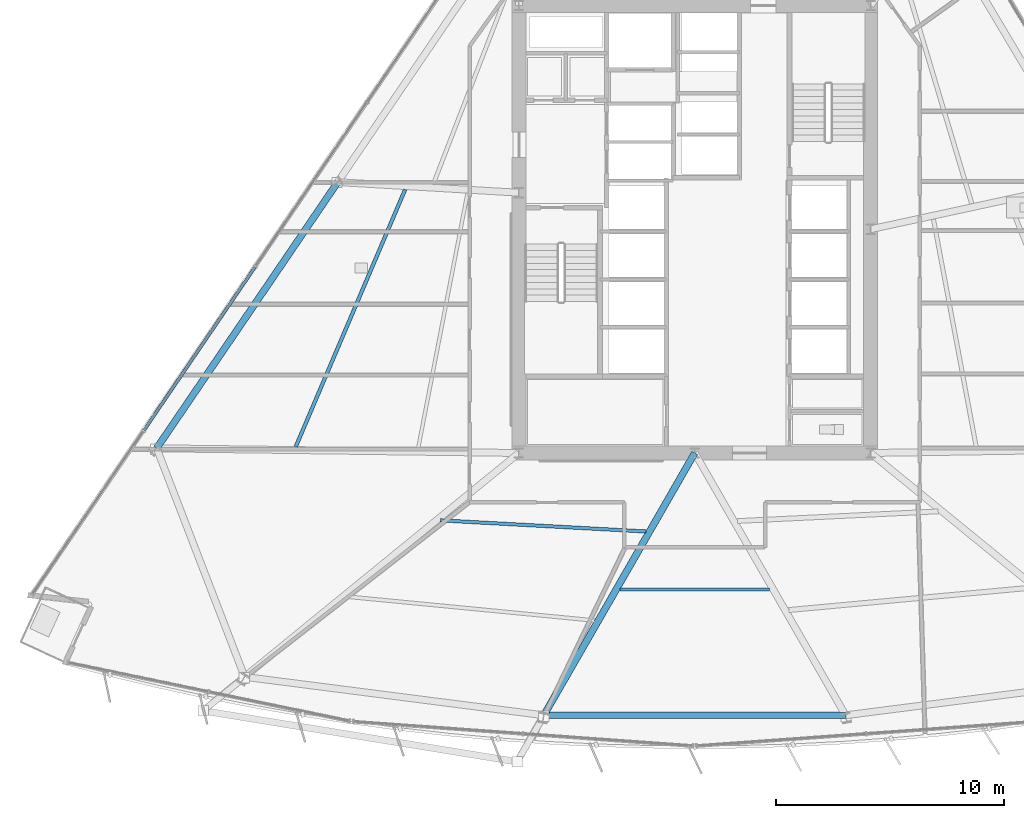
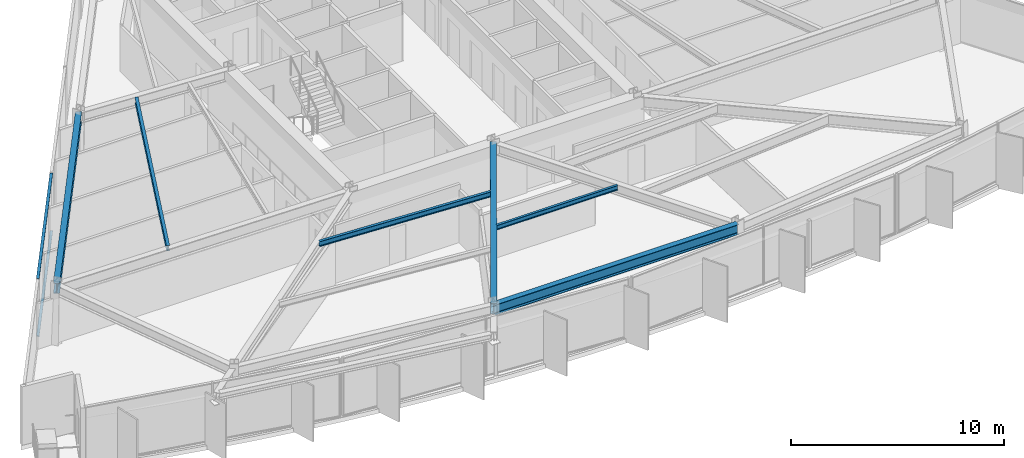
# One storey, part 3 of 17: 6 beams, 2 members, 1 element without a shape of its own.
"""IFC4 building model written with IfcOpenShell, lengths in metres."""

from ifc_helpers import new_model, si_unit, direction, frame, origin, origin_2d, place, context, subcontext, project, spatial, rectangle, i_section, extrude, material, material_profile, profile_set, type_object, element, aggregate, save


model = new_model("IFC4")

# Units and contexts
model_context = context("Model", 3, precision=1e-05, world=origin(), true_north=direction((0.0, 1.0)))
body_context = subcontext(model_context, "Body", "Model", "MODEL_VIEW")
ifc_project = project(units=[si_unit("LENGTHUNIT", "METRE"), si_unit("AREAUNIT", "SQUARE_METRE"), si_unit("VOLUMEUNIT", "CUBIC_METRE"), si_unit("PLANEANGLEUNIT", "RADIAN"), si_unit("MASSUNIT", "GRAM", prefix="KILO")], contexts=[model_context])

# Site, building, storey
site_placement = place(None, origin())
site = spatial("IfcSite", under=ifc_project, at=site_placement, CompositionType="ELEMENT")
building_placement = place(site_placement, origin())
building = spatial("IfcBuilding", under=site, at=building_placement, Name="Savorim Split Tower", CompositionType="ELEMENT")
storey_placement = place(building_placement, frame((0.0, 0.0, 55.199951171875)))
storey = spatial("IfcBuildingStorey", under=building, at=storey_placement, Name="L14", CompositionType="ELEMENT", Elevation=55.199951171875)

# Beams
ifc_material_1 = material(Name="Steel S355", Category="steel")
ifc_material_profile_1 = material_profile(ifc_material_1, i_section(OverallWidth=0.135009765625, OverallDepth=0.27001953125, WebThickness=0.006591796875, FlangeThickness=0.01025390625, FilletRadius=0.014892578125, at=origin_2d()), Name="IPE 270")
ifc_profile_set_1 = profile_set([ifc_material_profile_1], Name="Steel S355")
beam_type_1 = type_object("IfcBeamType", Name="BM-JST-IPE270", PredefinedType="JOIST", material=ifc_profile_set_1)
beam_1_placement = place(storey_placement, frame((-3.276123046875, -15.3740234375, 3.215087890625), z_axis=(1.0, 0.0, 0.0), x_axis=(0.0, 1.0, 0.0)))
element("IfcBeam", 1, at=beam_1_placement, inside=storey, type_object=beam_type_1, Name="L14 Secondary Floor Joist JS-03", PredefinedType="JOIST", context=body_context, shape_type="SweptSolid", body=[
    extrude(i_section(OverallWidth=0.135009765625, OverallDepth=0.27001953125, WebThickness=0.006591796875, FlangeThickness=0.01025390625, FilletRadius=0.014892578125, at=origin_2d()), origin(), (0.0, 0.0, 1.0), 6.55224609375),
])
ifc_material_profile_2 = material_profile(ifc_material_1, i_section(OverallWidth=0.14990234375, OverallDepth=0.300048828125, WebThickness=0.007080078125, FlangeThickness=0.0107421875, FilletRadius=0.014892578125, at=origin_2d()), Name="IPE 300")
ifc_profile_set_2 = profile_set([ifc_material_profile_2], Name="Steel S355")
beam_type_2 = type_object("IfcBeamType", Name="BM-JST-IPE300", PredefinedType="JOIST", material=ifc_profile_set_2)
beam_2_placement = place(storey_placement, frame((-11.14501953125, -12.350341796875, 3.199951171875), z_axis=(0.99853686446, -0.054075228287, 0.0), x_axis=(0.054075228287, 0.99853686446, 0.0)))
element("IfcBeam", 2, at=beam_2_placement, inside=storey, type_object=beam_type_2, Name="L14 Secondary Floor Joist JS-02", PredefinedType="JOIST", context=body_context, shape_type="SweptSolid", body=[
    extrude(i_section(OverallWidth=0.14990234375, OverallDepth=0.300048828125, WebThickness=0.007080078125, FlangeThickness=0.0107421875, FilletRadius=0.014892578125, at=origin_2d()), origin(), (0.0, 0.0, 1.0), 9.01611328125),
])
ifc_material_profile_3 = material_profile(ifc_material_1, i_section(OverallWidth=0.159912109375, OverallDepth=0.330078125, WebThickness=0.007568359375, FlangeThickness=0.011474609375, FilletRadius=0.01806640625, at=origin_2d()), Name="IPE 330")
ifc_profile_set_3 = profile_set([ifc_material_profile_3], Name="Steel S355")
beam_type_3 = type_object("IfcBeamType", Name="BM-JST-IPE330", PredefinedType="JOIST", material=ifc_profile_set_3)
beam_3_placement = place(storey_placement, frame((-12.68359375, 2.1396484375, 3.18505859375), z_axis=(-0.391392757461, -0.920223727909, 0.0), x_axis=(0.920223727909, -0.391392757461, 0.0)))
element("IfcBeam", 3, at=beam_3_placement, inside=storey, type_object=beam_type_3, Name="L14 Secondary Floor Joist JS-10", PredefinedType="JOIST", context=body_context, shape_type="SweptSolid", body=[
    extrude(i_section(OverallWidth=0.159912109375, OverallDepth=0.330078125, WebThickness=0.007568359375, FlangeThickness=0.011474609375, FilletRadius=0.01806640625, at=origin_2d()), origin(), (0.0, 0.0, 1.0), 12.240966796875),
])
ifc_material_profile_4 = material_profile(ifc_material_1, i_section(OverallWidth=0.300048828125, OverallDepth=0.60009765625, WebThickness=0.015380859375, FlangeThickness=0.030029296875, FilletRadius=0.027099609375, at=origin_2d()), Name="HEB 600")
ifc_profile_set_4 = profile_set([ifc_material_profile_4], Name="Steel S355")
beam_type_4 = type_object("IfcBeamType", Name="BM-PRI-HEB600", PredefinedType="BEAM", material=ifc_profile_set_4)
beam_4_placement = place(storey_placement, frame((-6.60791015625, -20.888427734375, 3.050048828125), z_axis=(0.498584986294, 0.866840822436, 0.0), x_axis=(-0.866840822436, 0.498584986294, 0.0)))
element("IfcBeam", 4, at=beam_4_placement, inside=storey, type_object=beam_type_4, Name="L14 Primary Floor Girder RG-02", PredefinedType="BEAM", context=body_context, shape_type="SweptSolid", body=[
    extrude(i_section(OverallWidth=0.300048828125, OverallDepth=0.60009765625, WebThickness=0.015380859375, FlangeThickness=0.030029296875, FilletRadius=0.027099609375, at=origin_2d()), origin(), (0.0, 0.0, 1.0), 13.25341796875),
])
ifc_material_profile_5 = material_profile(ifc_material_1, i_section(OverallWidth=0.300048828125, OverallDepth=0.590087890625, WebThickness=0.012939453125, FlangeThickness=0.02490234375, FilletRadius=0.027099609375, at=origin_2d()), Name="HEA 600")
ifc_profile_set_5 = profile_set([ifc_material_profile_5], Name="Steel S355")
beam_type_5 = type_object("IfcBeamType", Name="BM-SPN-HEA600", PredefinedType="SPANDREL", material=ifc_profile_set_5)
beam_5_placement = place(storey_placement, frame((-6.60791015625, -20.888427734375, 3.054931640625), z_axis=(1.0, 0.0, 0.0), x_axis=(0.0, 1.0, 0.0)))
element("IfcBeam", 5, at=beam_5_placement, inside=storey, type_object=beam_type_5, Name="L14 Perimeter Spandrel Beam 2", PredefinedType="SPANDREL", context=body_context, shape_type="SweptSolid", body=[
    extrude(i_section(OverallWidth=0.300048828125, OverallDepth=0.590087890625, WebThickness=0.012939453125, FlangeThickness=0.02490234375, FilletRadius=0.027099609375, at=origin_2d()), origin(), (0.0, 0.0, 1.0), 13.2158203125),
])
beam_6_placement = place(storey_placement, frame((-15.636962890625, 2.462890625, 3.054931640625), z_axis=(-0.562456851762, -0.826826638363, 0.0), x_axis=(0.826826638363, -0.562456851762, 0.0)))
element("IfcBeam", 6, at=beam_6_placement, inside=storey, type_object=beam_type_5, Name="L14 Perimeter Spandrel Beam 9", PredefinedType="SPANDREL", context=body_context, shape_type="SweptSolid", body=[
    extrude(i_section(OverallWidth=0.300048828125, OverallDepth=0.590087890625, WebThickness=0.012939453125, FlangeThickness=0.02490234375, FilletRadius=0.027099609375, at=origin_2d()), origin(), (0.0, 0.0, 1.0), 14.097900390625),
])

# Curtain wall, members
ifc_material_2 = material(Name="Dark Ceramic-Fritted Insulated Glass", Category="glass")
curtain_wall_type = type_object("IfcCurtainWallType", Name="CW-TWR-FRIT-A", PredefinedType="NOTDEFINED", material=ifc_material_2)
curtain_wall_placement = place(storey_placement, origin())
curtain_wall = element("IfcCurtainWall", 7, at=curtain_wall_placement, inside=storey, type_object=curtain_wall_type, Name="L14 Curtain Wall CW-L14-WEST", PredefinedType="NOTDEFINED")
ifc_material_3 = material(Name="Charcoal Anodised Aluminium", Category="aluminium")
ifc_material_profile_6 = material_profile(ifc_material_3, rectangle(XDim=0.139892578125, YDim=0.054931640625, at=origin_2d()), Name="ALU-T 140x55")
ifc_profile_set_6 = profile_set([ifc_material_profile_6], Name="Charcoal Anodised Aluminium")
member_type = type_object("IfcMemberType", Name="CWT-140x55", PredefinedType="USERDEFINED", material=ifc_profile_set_6)
member_1_placement = place(storey_placement, frame((-19.260009765625, -1.256103515625, 0.027587890625), z_axis=(-0.562449926829, -0.826831349073, 0.0), x_axis=(0.826831349073, -0.562449926829, 0.0)))
member_1 = element("IfcMember", 8, at=member_1_placement, type_object=member_type, Name="CW-02 transom 3.1", ObjectType="TRANSOM", PredefinedType="USERDEFINED", context=body_context, shape_type="SweptSolid", body=[
    extrude(rectangle(XDim=0.139892578125, YDim=0.054931640625, at=origin_2d()), origin(), (0.0, 0.0, 1.0), 8.638671875),
])
member_2_placement = place(storey_placement, frame((-19.260009765625, -1.256103515625, 3.322509765625), z_axis=(-0.562449926829, -0.826831349073, 0.0), x_axis=(0.826831349073, -0.562449926829, 0.0)))
member_2 = element("IfcMember", 9, at=member_2_placement, type_object=member_type, Name="CW-02 transom 3.2", ObjectType="TRANSOM", PredefinedType="USERDEFINED", context=body_context, shape_type="SweptSolid", body=[
    extrude(rectangle(XDim=0.139892578125, YDim=0.054931640625, at=origin_2d()), origin(), (0.0, 0.0, 1.0), 8.638671875),
])
aggregate(curtain_wall, [member_1, member_2])

save(model, "model.ifc")
